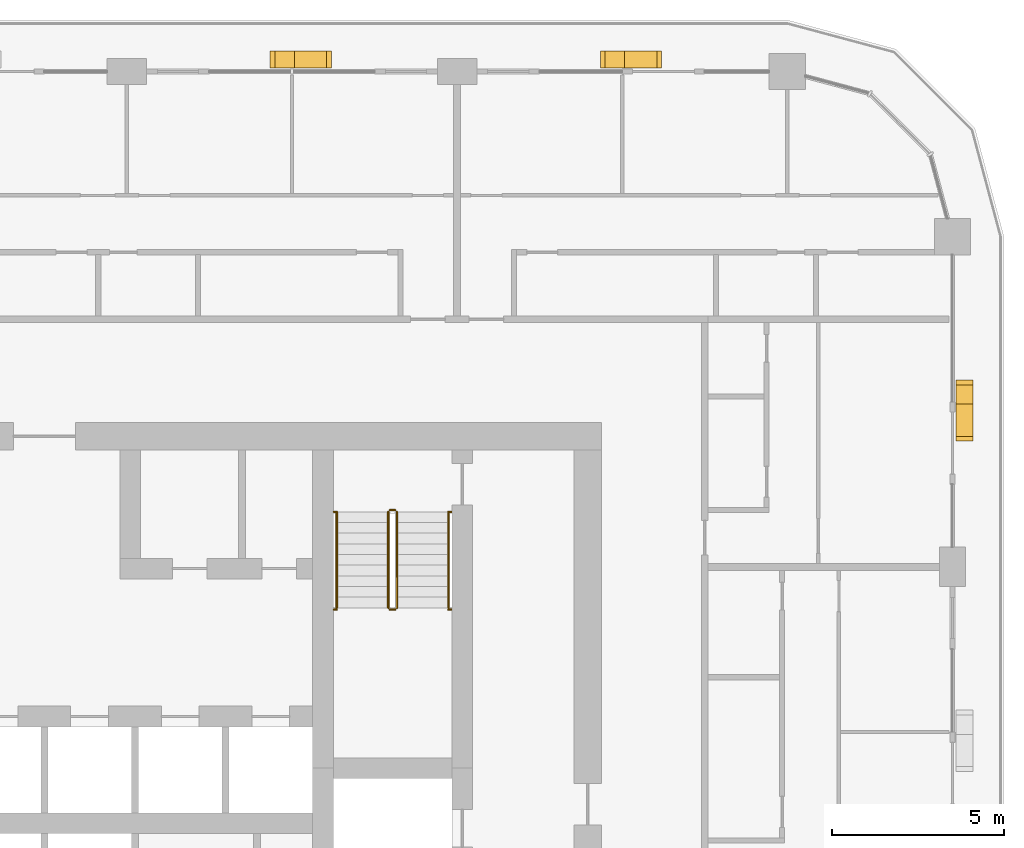
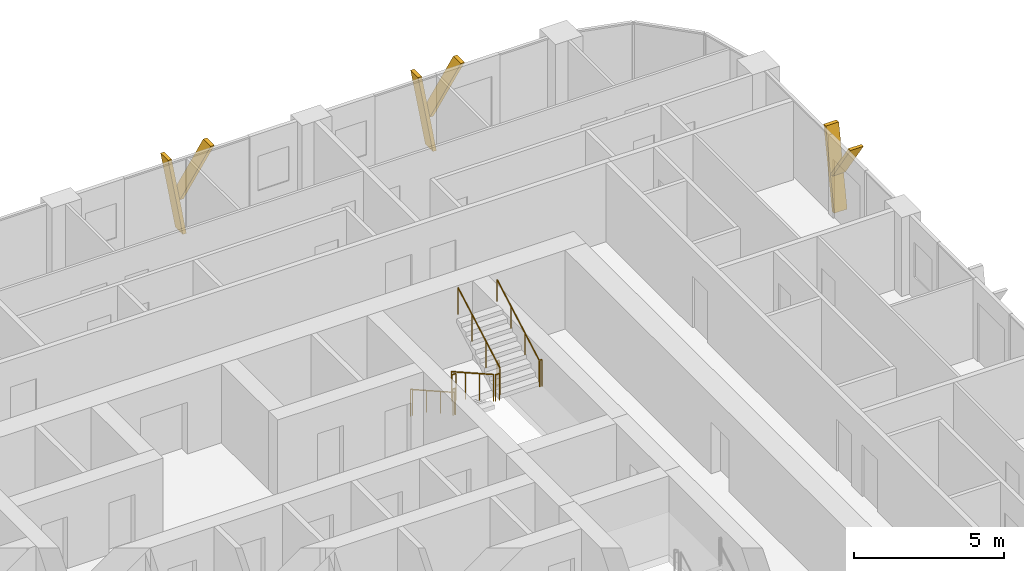
# One storey, part 22 of 22: 10 railings, 6 shading devices.
"""IFC4 building model written with IfcOpenShell, lengths in metres."""

from ifc_helpers import new_model, si_unit, direction, frame, origin, origin_2d, place, context, subcontext, project, spatial, polyline, circle, outline, extrude, material, type_object, element, save


model = new_model("IFC4")

# Units and contexts
model_context = context("Model", 3, precision=1e-05, world=origin(), true_north=direction((0.0, 1.0)))
body_context = subcontext(model_context, "Body", "Model", "MODEL_VIEW")
ifc_project = project(units=[si_unit("LENGTHUNIT", "METRE"), si_unit("AREAUNIT", "SQUARE_METRE"), si_unit("VOLUMEUNIT", "CUBIC_METRE"), si_unit("PLANEANGLEUNIT", "RADIAN"), si_unit("MASSUNIT", "GRAM", prefix="KILO")], contexts=[model_context])

# Site, building, storey
site_placement = place(None, origin())
site = spatial("IfcSite", under=ifc_project, at=site_placement, CompositionType="ELEMENT")
building_placement = place(site_placement, origin())
building = spatial("IfcBuilding", under=site, at=building_placement, Name="Madar Terraces", CompositionType="ELEMENT")
storey_placement = place(building_placement, frame((0.0, 0.0, 149.0)))
storey = spatial("IfcBuildingStorey", under=building, at=storey_placement, Name="L38", CompositionType="ELEMENT", Elevation=149.0)

# Shading devices
ifc_material_1 = material(Name="Aluminium, black anodised", Category="aluminium")
shading_device_type = type_object("IfcShadingDeviceType", Name="Facade fin blade 140 x 500", PredefinedType="USERDEFINED", material=ifc_material_1)
shading_device_1_placement = place(storey_placement, frame((57.949951171875, 38.330078125, 0.0), z_axis=(0.0, 0.0, 1.0), x_axis=(0.0, 1.0, 0.0)))
element("IfcShadingDevice", 1, at=shading_device_1_placement, inside=storey, type_object=shading_device_type, Name="FIN L38 E4", ObjectType="FIN", PredefinedType="USERDEFINED", context=body_context, shape_type="SweptSolid", body=[
    extrude(outline(polyline([(0.0, 0.0), (0.139892578125, 0.0), (0.704345703125, 3.199951171875), (0.564208984375, 3.199951171875), (0.0, 0.0)])), frame((0.0, 0.25, 0.0), z_axis=(0.0, -1.0, 0.0), x_axis=(1.0, 0.0, 0.0)), (0.0, 0.0, 1.0), 0.5),
])
shading_device_2_placement = place(storey_placement, frame((57.949951171875, 38.44384765625, 1.43994140625), z_axis=(0.0, 0.0, 1.0), x_axis=(0.0, 1.0, 0.0)))
element("IfcShadingDevice", 2, at=shading_device_2_placement, inside=storey, type_object=shading_device_type, Name="FIN L38 E4 branch", ObjectType="FIN", PredefinedType="USERDEFINED", context=body_context, shape_type="SweptSolid", body=[
    extrude(outline(polyline([(0.0, 0.0), (0.14013671875, 0.0), (-1.049560546875, 1.760009765625), (-1.189697265625, 1.760009765625), (0.0, 0.0)])), frame((0.0, 0.25, 0.0), z_axis=(0.0, -1.0, 0.0), x_axis=(1.0, 0.0, 0.0)), (0.0, 0.0, 1.0), 0.5),
])
shading_device_3_placement = place(storey_placement, frame((48.070068359375, 48.35009765625, 0.0), z_axis=(0.0, 0.0, 1.0), x_axis=(-1.0, 0.0, 0.0)))
element("IfcShadingDevice", 3, at=shading_device_3_placement, inside=storey, type_object=shading_device_type, Name="FIN L38 N1", ObjectType="FIN", PredefinedType="USERDEFINED", context=body_context, shape_type="SweptSolid", body=[
    extrude(outline(polyline([(0.0, 0.0), (0.14013671875, 0.0), (0.704345703125, 3.199951171875), (0.564208984375, 3.199951171875), (0.0, 0.0)])), frame((0.0, 0.25, 0.0), z_axis=(0.0, -1.0, 0.0), x_axis=(1.0, 0.0, 0.0)), (0.0, 0.0, 1.0), 0.5),
])
shading_device_4_placement = place(storey_placement, frame((47.9560546875, 48.35009765625, 1.43994140625), z_axis=(0.0, 0.0, 1.0), x_axis=(-1.0, 0.0, 0.0)))
element("IfcShadingDevice", 4, at=shading_device_4_placement, inside=storey, type_object=shading_device_type, Name="FIN L38 N1 branch", ObjectType="FIN", PredefinedType="USERDEFINED", context=body_context, shape_type="SweptSolid", body=[
    extrude(outline(polyline([(0.0, 0.0), (0.139892578125, 0.0), (-1.049560546875, 1.760009765625), (-1.189697265625, 1.760009765625), (0.0, 0.0)])), frame((0.0, 0.25, 0.0), z_axis=(0.0, -1.0, 0.0), x_axis=(1.0, 0.0, 0.0)), (0.0, 0.0, 1.0), 0.5),
])
shading_device_5_placement = place(storey_placement, frame((38.469970703125, 48.35009765625, 0.0), z_axis=(0.0, 0.0, 1.0), x_axis=(-1.0, 0.0, 0.0)))
element("IfcShadingDevice", 5, at=shading_device_5_placement, inside=storey, type_object=shading_device_type, Name="FIN L38 N2", ObjectType="FIN", PredefinedType="USERDEFINED", context=body_context, shape_type="SweptSolid", body=[
    extrude(outline(polyline([(0.0, 0.0), (0.139892578125, 0.0), (0.704345703125, 3.199951171875), (0.564208984375, 3.199951171875), (0.0, 0.0)])), frame((0.0, 0.25, 0.0), z_axis=(0.0, -1.0, 0.0), x_axis=(1.0, 0.0, 0.0)), (0.0, 0.0, 1.0), 0.5),
])
shading_device_6_placement = place(storey_placement, frame((38.356201171875, 48.35009765625, 1.43994140625), z_axis=(0.0, 0.0, 1.0), x_axis=(-1.0, 0.0, 0.0)))
element("IfcShadingDevice", 6, at=shading_device_6_placement, inside=storey, type_object=shading_device_type, Name="FIN L38 N2 branch", ObjectType="FIN", PredefinedType="USERDEFINED", context=body_context, shape_type="SweptSolid", body=[
    extrude(outline(polyline([(0.0, 0.0), (0.14013671875, 0.0), (-1.049560546875, 1.760009765625), (-1.189697265625, 1.760009765625), (0.0, 0.0)])), frame((0.0, 0.25, 0.0), z_axis=(0.0, -1.0, 0.0), x_axis=(1.0, 0.0, 0.0)), (0.0, 0.0, 1.0), 0.5),
])

# Railings
ifc_material_2 = material(Name="Stainless steel railing", Category="steel")
railing_type_1 = type_object("IfcRailingType", Name="Stair guard 1100", PredefinedType="GUARDRAIL", material=ifc_material_2)
railing_1_placement = place(storey_placement, frame((41.199951171875, 35.199951171875, 0.175048828125)))
element("IfcRailing", 7, at=railing_1_placement, inside=storey, type_object=railing_type_1, Name="L38 ST2 stair guard 1", PredefinedType="GUARDRAIL", context=body_context, shape_type="SweptSolid", body=[
    extrude(circle(Radius=0.02392578125, at=origin_2d()), frame((0.0, 0.0, 1.076171875), z_axis=(0.0, -0.870833779661, 0.491577591232), x_axis=(1.0, 0.0, 0.0)), (0.0, 0.0, 1.0), 3.203857421875),
    extrude(circle(Radius=0.02099609375, at=origin_2d()), origin(), (0.0, 0.0, 1.0), 1.052001953125),
    extrude(circle(Radius=0.02099609375, at=origin_2d()), frame((0.0, -0.929931640625, 0.52490234375)), (0.0, 0.0, 1.0), 1.052001953125),
    extrude(circle(Radius=0.02099609375, at=origin_2d()), frame((0.0, -1.860107421875, 1.050048828125)), (0.0, 0.0, 1.0), 1.052001953125),
    extrude(circle(Radius=0.02099609375, at=origin_2d()), frame((0.0, -2.7900390625, 1.574951171875)), (0.0, 0.0, 1.0), 1.052001953125),
])
railing_2_placement = place(storey_placement, frame((41.25, 32.360107421875, 1.75)))
element("IfcRailing", 8, at=railing_2_placement, inside=storey, type_object=railing_type_1, Name="L38 ST2 stair guard 2", PredefinedType="GUARDRAIL", context=body_context, shape_type="SweptSolid", body=[
    extrude(circle(Radius=0.02392578125, at=origin_2d()), frame((0.0, 0.0, 1.076171875), z_axis=(1.0, 0.0, 0.0), x_axis=(0.0, 1.0, 0.0)), (0.0, 0.0, 1.0), 0.14990234375),
    extrude(circle(Radius=0.02099609375, at=origin_2d()), origin(), (0.0, 0.0, 1.0), 1.052001953125),
    extrude(circle(Radius=0.02099609375, at=origin_2d()), frame((0.14990234375, 0.0, 0.0)), (0.0, 0.0, 1.0), 1.052001953125),
])
railing_3_placement = place(storey_placement, frame((41.449951171875, 32.409912109375, 1.925048828125)))
element("IfcRailing", 9, at=railing_3_placement, inside=storey, type_object=railing_type_1, Name="L38 ST2 stair guard 3", PredefinedType="GUARDRAIL", context=body_context, shape_type="SweptSolid", body=[
    extrude(circle(Radius=0.02392578125, at=origin_2d()), frame((0.0, 0.0, 1.076171875), z_axis=(0.0, 0.870833779661, 0.491577591232), x_axis=(-1.0, 0.0, 0.0)), (0.0, 0.0, 1.0), 3.203857421875),
    extrude(circle(Radius=0.02099609375, at=origin_2d()), origin(), (0.0, 0.0, 1.0), 1.052001953125),
    extrude(circle(Radius=0.02099609375, at=origin_2d()), frame((0.0, 0.929931640625, 0.52490234375)), (0.0, 0.0, 1.0), 1.052001953125),
    extrude(circle(Radius=0.02099609375, at=origin_2d()), frame((0.0, 1.860107421875, 1.050048828125)), (0.0, 0.0, 1.0), 1.052001953125),
    extrude(circle(Radius=0.02099609375, at=origin_2d()), frame((0.0, 2.7900390625, 1.574951171875)), (0.0, 0.0, 1.0), 1.052001953125),
])
railing_4_placement = place(storey_placement, frame((41.25, 35.25, 0.0)))
element("IfcRailing", 10, at=railing_4_placement, inside=storey, type_object=railing_type_1, Name="L38 ST2 stair guard 4", PredefinedType="GUARDRAIL", context=body_context, shape_type="SweptSolid", body=[
    extrude(circle(Radius=0.02392578125, at=origin_2d()), frame((0.0, 0.0, 1.076171875), z_axis=(1.0, 0.0, 0.0), x_axis=(0.0, 1.0, 0.0)), (0.0, 0.0, 1.0), 0.14990234375),
    extrude(circle(Radius=0.02099609375, at=origin_2d()), origin(), (0.0, 0.0, 1.0), 1.052001953125),
    extrude(circle(Radius=0.02099609375, at=origin_2d()), frame((0.14990234375, 0.0, 0.0)), (0.0, 0.0, 1.0), 1.052001953125),
])
railing_5_placement = place(storey_placement, frame((39.6201171875, 32.360107421875, 1.75)))
element("IfcRailing", 11, at=railing_5_placement, inside=storey, type_object=railing_type_1, Name="L38 stair guard seat 1", PredefinedType="GUARDRAIL", context=body_context, shape_type="SweptSolid", body=[
    extrude(circle(Radius=0.02392578125, at=origin_2d()), frame((0.0, 0.0, 1.076171875), z_axis=(1.0, 0.0, 0.0), x_axis=(0.0, 1.0, 0.0)), (0.0, 0.0, 1.0), 0.079833984375),
    extrude(circle(Radius=0.02099609375, at=origin_2d()), origin(), (0.0, 0.0, 1.0), 1.052001953125),
    extrude(circle(Radius=0.02099609375, at=origin_2d()), frame((0.079833984375, 0.0, 0.0)), (0.0, 0.0, 1.0), 1.052001953125),
])
railing_6_placement = place(storey_placement, frame((42.949951171875, 32.360107421875, 1.75)))
element("IfcRailing", 12, at=railing_6_placement, inside=storey, type_object=railing_type_1, Name="L38 stair guard seat 2", PredefinedType="GUARDRAIL", context=body_context, shape_type="SweptSolid", body=[
    extrude(circle(Radius=0.02392578125, at=origin_2d()), frame((0.0, 0.0, 1.076171875), z_axis=(1.0, 0.0, 0.0), x_axis=(0.0, 1.0, 0.0)), (0.0, 0.0, 1.0), 0.080078125),
    extrude(circle(Radius=0.02099609375, at=origin_2d()), origin(), (0.0, 0.0, 1.0), 1.052001953125),
    extrude(circle(Radius=0.02099609375, at=origin_2d()), frame((0.080078125, 0.0, 0.0)), (0.0, 0.0, 1.0), 1.052001953125),
])
railing_7_placement = place(storey_placement, frame((39.6201171875, 35.199951171875, 0.0)))
element("IfcRailing", 13, at=railing_7_placement, inside=storey, type_object=railing_type_1, Name="L38 stair guard floor 1", PredefinedType="GUARDRAIL", context=body_context, shape_type="SweptSolid", body=[
    extrude(circle(Radius=0.02392578125, at=origin_2d()), frame((0.0, 0.0, 1.076171875), z_axis=(1.0, 0.0, 0.0), x_axis=(0.0, 1.0, 0.0)), (0.0, 0.0, 1.0), 0.079833984375),
    extrude(circle(Radius=0.02099609375, at=origin_2d()), origin(), (0.0, 0.0, 1.0), 1.052001953125),
    extrude(circle(Radius=0.02099609375, at=origin_2d()), frame((0.079833984375, 0.0, 0.0)), (0.0, 0.0, 1.0), 1.052001953125),
])
railing_8_placement = place(storey_placement, frame((42.949951171875, 35.199951171875, 0.0)))
element("IfcRailing", 14, at=railing_8_placement, inside=storey, type_object=railing_type_1, Name="L38 stair guard floor 2", PredefinedType="GUARDRAIL", context=body_context, shape_type="SweptSolid", body=[
    extrude(circle(Radius=0.02392578125, at=origin_2d()), frame((0.0, 0.0, 1.076171875), z_axis=(1.0, 0.0, 0.0), x_axis=(0.0, 1.0, 0.0)), (0.0, 0.0, 1.0), 0.080078125),
    extrude(circle(Radius=0.02099609375, at=origin_2d()), origin(), (0.0, 0.0, 1.0), 1.052001953125),
    extrude(circle(Radius=0.02099609375, at=origin_2d()), frame((0.080078125, 0.0, 0.0)), (0.0, 0.0, 1.0), 1.052001953125),
])
ifc_material_3 = material(Name="Stainless steel railing", Category="steel")
railing_type_2 = type_object("IfcRailingType", Name="Stair handrail 900", PredefinedType="HANDRAIL", material=ifc_material_3)
railing_9_placement = place(storey_placement, frame((39.699951171875, 35.199951171875, 0.175048828125)))
element("IfcRailing", 15, at=railing_9_placement, inside=storey, type_object=railing_type_2, Name="L38 ST2 stair handrail 1", PredefinedType="HANDRAIL", context=body_context, shape_type="SweptSolid", body=[
    extrude(circle(Radius=0.02392578125, at=origin_2d()), frame((0.0, 0.0, 0.8759765625), z_axis=(0.0, -0.870833779661, 0.491577591232), x_axis=(1.0, 0.0, 0.0)), (0.0, 0.0, 1.0), 3.203857421875),
    extrude(circle(Radius=0.02099609375, at=origin_2d()), origin(), (0.0, 0.0, 1.0), 0.851806640625),
    extrude(circle(Radius=0.02099609375, at=origin_2d()), frame((0.0, -0.929931640625, 0.52490234375)), (0.0, 0.0, 1.0), 0.851806640625),
    extrude(circle(Radius=0.02099609375, at=origin_2d()), frame((0.0, -1.860107421875, 1.050048828125)), (0.0, 0.0, 1.0), 0.851806640625),
    extrude(circle(Radius=0.02099609375, at=origin_2d()), frame((0.0, -2.7900390625, 1.574951171875)), (0.0, 0.0, 1.0), 0.851806640625),
])
railing_10_placement = place(storey_placement, frame((42.949951171875, 32.409912109375, 1.925048828125)))
element("IfcRailing", 16, at=railing_10_placement, inside=storey, type_object=railing_type_2, Name="L38 ST2 stair handrail 2", PredefinedType="HANDRAIL", context=body_context, shape_type="SweptSolid", body=[
    extrude(circle(Radius=0.02392578125, at=origin_2d()), frame((0.0, 0.0, 0.8759765625), z_axis=(0.0, 0.870833779661, 0.491577591232), x_axis=(-1.0, 0.0, 0.0)), (0.0, 0.0, 1.0), 3.203857421875),
    extrude(circle(Radius=0.02099609375, at=origin_2d()), origin(), (0.0, 0.0, 1.0), 0.851806640625),
    extrude(circle(Radius=0.02099609375, at=origin_2d()), frame((0.0, 0.929931640625, 0.52490234375)), (0.0, 0.0, 1.0), 0.851806640625),
    extrude(circle(Radius=0.02099609375, at=origin_2d()), frame((0.0, 1.860107421875, 1.050048828125)), (0.0, 0.0, 1.0), 0.851806640625),
    extrude(circle(Radius=0.02099609375, at=origin_2d()), frame((0.0, 2.7900390625, 1.574951171875)), (0.0, 0.0, 1.0), 0.851806640625),
])

save(model, "model.ifc")
